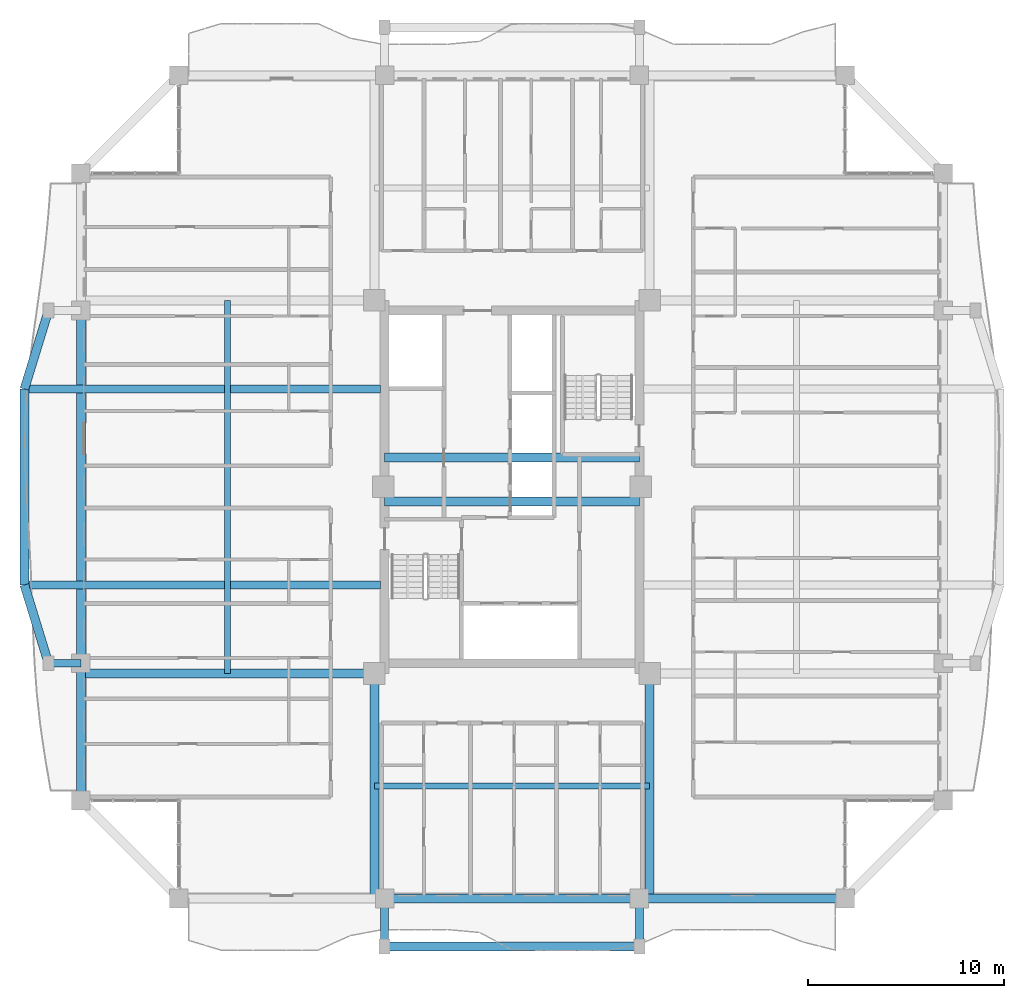
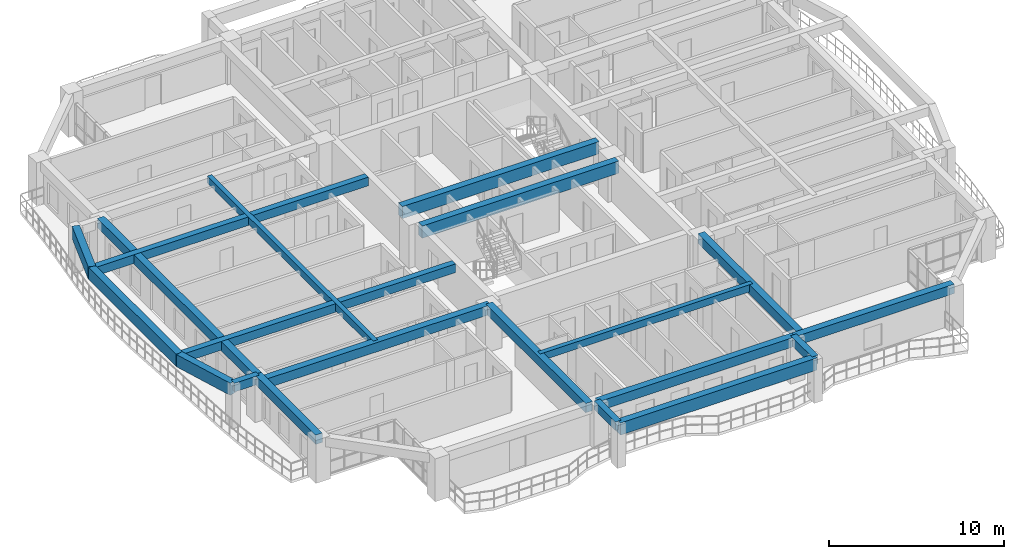
# One storey, part 3 of 24: 20 beams.
"""IFC4 building model written with IfcOpenShell, lengths in metres."""

from ifc_helpers import new_model, si_unit, direction, frame, origin, origin_2d, place, context, subcontext, project, spatial, rectangle, extrude, source, transform, mapped, material, material_profile, profile_set, type_object, element, save


model = new_model("IFC4")

# Units and contexts
model_context = context("Model", 3, precision=1e-05, world=origin(), true_north=direction((0.0, 1.0)))
body_context = subcontext(model_context, "Body", "Model", "MODEL_VIEW")
ifc_project = project(units=[si_unit("LENGTHUNIT", "METRE"), si_unit("AREAUNIT", "SQUARE_METRE"), si_unit("VOLUMEUNIT", "CUBIC_METRE"), si_unit("PLANEANGLEUNIT", "RADIAN"), si_unit("MASSUNIT", "GRAM", prefix="KILO")], contexts=[model_context])

# Site, building, storey
site_placement = place(None, origin())
site = spatial("IfcSite", under=ifc_project, at=site_placement, CompositionType="ELEMENT")
building_placement = place(site_placement, origin())
building = spatial("IfcBuilding", under=site, at=building_placement, Name="Saelheon Loggia Tower", CompositionType="ELEMENT")
storey_placement = place(building_placement, frame((0.0, 0.0, 166.0)))
storey = spatial("IfcBuildingStorey", under=building, at=storey_placement, Name="L52", CompositionType="ELEMENT", Elevation=166.0)

# Beams
ifc_material_1 = material(Name="Concrete C50/60", Category="concrete")
ifc_material_profile_1 = material_profile(ifc_material_1, rectangle(XDim=0.449951171875, YDim=0.85009765625, at=origin_2d()), Name="RC-450x850")
ifc_profile_set_1 = profile_set([ifc_material_profile_1], Name="Concrete C50/60")
beam_type_1 = type_object("IfcBeamType", Name="Beam_CoreLintel_RC450x850", PredefinedType="LINTEL", material=ifc_profile_set_1)
shared_shape_1 = source(origin(), body_context, "Body", "SweptSolid", [
    extrude(rectangle(XDim=0.449951171875, YDim=0.85009765625, at=origin_2d()), origin(), (0.0, 0.0, 1.0), 13.0),
])
for number, where, z_axis, x_axis, name in (
    (1, (31.5, 26.25, 2.574951171875), (1.0, 0.0, 0.0), (0.0, 1.0, 0.0), "L52 Core Coupling Lintel 1"),
    (2, (31.5, 28.5, 2.574951171875), (1.0, 0.0, 0.0), (0.0, 1.0, 0.0), "L52 Core Coupling Lintel 2"),
):
    element("IfcBeam", number, at=place(storey_placement, frame(where, z_axis=z_axis, x_axis=x_axis)), inside=storey, type_object=beam_type_1, Name=name, PredefinedType="LINTEL", context=body_context, shape_type="MappedRepresentation", body=[
        mapped(shared_shape_1, transform((0.0, 0.0, 0.0), scale=1.0)),
    ])
ifc_material_2 = material(Name="Precast Concrete C45/55", Category="concrete")
ifc_material_profile_2 = material_profile(ifc_material_2, rectangle(XDim=0.449951171875, YDim=0.85009765625, at=origin_2d()), Name="RC-450x850")
ifc_profile_set_2 = profile_set([ifc_material_profile_2], Name="Precast Concrete C45/55")
beam_type_2 = type_object("IfcBeamType", Name="Beam_LoggiaSpandrel_RC450x850", PredefinedType="SPANDREL", material=ifc_profile_set_2)
beam_1_placement = place(storey_placement, frame((31.5, 3.550048828125, 2.574951171875), z_axis=(1.0, 0.0, 0.0), x_axis=(0.0, 1.0, 0.0)))
element("IfcBeam", 3, at=beam_1_placement, inside=storey, type_object=beam_type_2, Name="L52 Loggia Spandrel Beam S", PredefinedType="SPANDREL", context=body_context, shape_type="MappedRepresentation", body=[
    mapped(shared_shape_1, transform((0.0, 0.0, 0.0), scale=1.0)),
])
ifc_material_profile_3 = material_profile(ifc_material_2, rectangle(XDim=0.39990234375, YDim=0.60009765625, at=origin_2d()), Name="RC-400x600")
ifc_profile_set_3 = profile_set([ifc_material_profile_3], Name="Precast Concrete C45/55")
beam_type_3 = type_object("IfcBeamType", Name="Beam_LoggiaTie_RC400x600", PredefinedType="BEAM", material=ifc_profile_set_3)
shared_shape_2 = source(origin(), body_context, "Body", "SweptSolid", [
    extrude(rectangle(XDim=0.39990234375, YDim=0.60009765625, at=origin_2d()), origin(), (0.0, 0.0, 1.0), 2.449951171875),
])
for number, where, z_axis, x_axis, name in (
    (4, (31.5, 6.0, 2.699951171875), (0.0, -1.0, 0.0), (1.0, 0.0, 0.0), "L52 Loggia Frame Tie Beam LP-S1"),
    (5, (44.5, 6.0, 2.699951171875), (0.0, -1.0, 0.0), (1.0, 0.0, 0.0), "L52 Loggia Frame Tie Beam LP-S2"),
):
    element("IfcBeam", number, at=place(storey_placement, frame(where, z_axis=z_axis, x_axis=x_axis)), inside=storey, type_object=beam_type_3, Name=name, PredefinedType="BEAM", context=body_context, shape_type="MappedRepresentation", body=[
        mapped(shared_shape_2, transform((0.0, 0.0, 0.0), scale=1.0)),
    ])
ifc_material_3 = material(Name="Concrete C40/50", Category="concrete")
ifc_material_profile_4 = material_profile(ifc_material_3, rectangle(XDim=0.449951171875, YDim=0.64990234375, at=origin_2d()), Name="RC-450x650")
ifc_profile_set_4 = profile_set([ifc_material_profile_4], Name="Concrete C40/50")
beam_type_4 = type_object("IfcBeamType", Name="Beam_PerimTower_RC450x650", PredefinedType="BEAM", material=ifc_profile_set_4)
shared_shape_3 = source(origin(), body_context, "Body", "SweptSolid", [
    extrude(rectangle(XDim=0.449951171875, YDim=0.64990234375, at=origin_2d()), origin(), (0.0, 0.0, 1.0), 13.0),
])
beam_2_placement = place(storey_placement, frame((31.5, 6.0, 2.675048828125), z_axis=(1.0, 0.0, 0.0), x_axis=(0.0, 1.0, 0.0)))
element("IfcBeam", 6, at=beam_2_placement, inside=storey, type_object=beam_type_4, Name="L52 Perimeter Frame Girder 02", PredefinedType="BEAM", context=body_context, shape_type="MappedRepresentation", body=[
    mapped(shared_shape_3, transform((0.0, 0.0, 0.0), scale=1.0)),
])
shared_shape_4 = source(origin(), body_context, "Body", "SweptSolid", [
    extrude(rectangle(XDim=0.449951171875, YDim=0.64990234375, at=origin_2d()), origin(), (0.0, 0.0, 1.0), 18.0),
])
beam_3_placement = place(storey_placement, frame((16.0, 36.0, 2.675048828125), z_axis=(0.0, -1.0, 0.0), x_axis=(1.0, 0.0, 0.0)))
element("IfcBeam", 7, at=beam_3_placement, inside=storey, type_object=beam_type_4, Name="L52 Perimeter Frame Girder 14", PredefinedType="BEAM", context=body_context, shape_type="MappedRepresentation", body=[
    mapped(shared_shape_4, transform((0.0, 0.0, 0.0), scale=1.0)),
])
ifc_material_profile_5 = material_profile(ifc_material_3, rectangle(XDim=0.300048828125, YDim=0.5, at=origin_2d()), Name="RC-300x500")
ifc_profile_set_5 = profile_set([ifc_material_profile_5], Name="Concrete C40/50")
beam_type_5 = type_object("IfcBeamType", Name="Beam_Joist_RC300x500", PredefinedType="JOIST", material=ifc_profile_set_5)
shared_shape_5 = source(origin(), body_context, "Body", "SweptSolid", [
    extrude(rectangle(XDim=0.300048828125, YDim=0.5, at=origin_2d()), origin(), (0.0, 0.0, 1.0), 14.0400390625),
])
beam_4_placement = place(storey_placement, frame((30.97998046875, 11.739990234375, 2.75), z_axis=(1.0, 0.0, 0.0), x_axis=(0.0, 1.0, 0.0)))
element("IfcBeam", 8, at=beam_4_placement, inside=storey, type_object=beam_type_5, Name="L52 South Floor Joist", PredefinedType="JOIST", context=body_context, shape_type="MappedRepresentation", body=[
    mapped(shared_shape_5, transform((0.0, 0.0, 0.0), scale=1.0)),
])
shared_shape_6 = source(origin(), body_context, "Body", "SweptSolid", [
    extrude(rectangle(XDim=0.300048828125, YDim=0.5, at=origin_2d()), origin(), (0.0, 0.0, 1.0), 19.0400390625),
])
beam_5_placement = place(storey_placement, frame((23.489990234375, 17.47998046875, 2.75), z_axis=(0.0, 1.0, 0.0), x_axis=(-1.0, 0.0, 0.0)))
element("IfcBeam", 9, at=beam_5_placement, inside=storey, type_object=beam_type_5, Name="L52 West Floor Joist", PredefinedType="JOIST", context=body_context, shape_type="MappedRepresentation", body=[
    mapped(shared_shape_6, transform((0.0, 0.0, 0.0), scale=1.0)),
])
shared_shape_7 = source(origin(), body_context, "Body", "SweptSolid", [
    extrude(rectangle(XDim=0.449951171875, YDim=0.64990234375, at=origin_2d()), origin(), (0.0, 0.0, 1.0), 10.5),
])
beam_6_placement = place(storey_placement, frame((44.5, 6.0, 2.675048828125), z_axis=(1.0, 0.0, 0.0), x_axis=(0.0, 1.0, 0.0)))
element("IfcBeam", 10, at=beam_6_placement, inside=storey, type_object=beam_type_4, Name="L52 Perimeter Frame Girder 03", PredefinedType="BEAM", context=body_context, shape_type="MappedRepresentation", body=[
    mapped(shared_shape_7, transform((0.0, 0.0, 0.0), scale=1.0)),
])
shared_shape_8 = source(origin(), body_context, "Body", "SweptSolid", [
    extrude(rectangle(XDim=0.449951171875, YDim=0.64990234375, at=origin_2d()), origin(), (0.0, 0.0, 1.0), 7.0),
])
beam_7_placement = place(storey_placement, frame((16.0, 18.0, 2.675048828125), z_axis=(0.0, -1.0, 0.0), x_axis=(1.0, 0.0, 0.0)))
element("IfcBeam", 11, at=beam_7_placement, inside=storey, type_object=beam_type_4, Name="L52 Perimeter Frame Girder 15", PredefinedType="BEAM", context=body_context, shape_type="MappedRepresentation", body=[
    mapped(shared_shape_8, transform((0.0, 0.0, 0.0), scale=1.0)),
])
ifc_material_profile_6 = material_profile(ifc_material_3, rectangle(XDim=0.449951171875, YDim=0.64990234375, at=origin_2d()), Name="RC-450x650")
ifc_profile_set_6 = profile_set([ifc_material_profile_6], Name="Concrete C40/50")
beam_type_6 = type_object("IfcBeamType", Name="Beam_TowerGirder_RC450x650", PredefinedType="BEAM", material=ifc_profile_set_6)
shared_shape_9 = source(origin(), body_context, "Body", "SweptSolid", [
    extrude(rectangle(XDim=0.449951171875, YDim=0.64990234375, at=origin_2d()), origin(), (0.0, 0.0, 1.0), 11.47998046875),
])
for number, where, z_axis, x_axis, name in (
    (12, (30.97998046875, 17.47998046875, 2.675048828125), (0.0, -1.0, 0.0), (1.0, 0.0, 0.0), "L52 Radial Floor Girder RAD-SW-S"),
    (13, (45.02001953125, 17.47998046875, 2.675048828125), (0.0, -1.0, 0.0), (1.0, 0.0, 0.0), "L52 Radial Floor Girder RAD-SE-S"),
):
    element("IfcBeam", number, at=place(storey_placement, frame(where, z_axis=z_axis, x_axis=x_axis)), inside=storey, type_object=beam_type_6, Name=name, PredefinedType="BEAM", context=body_context, shape_type="MappedRepresentation", body=[
        mapped(shared_shape_9, transform((0.0, 0.0, 0.0), scale=1.0)),
    ])
shared_shape_10 = source(origin(), body_context, "Body", "SweptSolid", [
    extrude(rectangle(XDim=0.449951171875, YDim=0.64990234375, at=origin_2d()), origin(), (0.0, 0.0, 1.0), 14.97998046875),
])
beam_8_placement = place(storey_placement, frame((30.97998046875, 17.47998046875, 2.675048828125), z_axis=(-1.0, 0.0, 0.0), x_axis=(0.0, -1.0, 0.0)))
element("IfcBeam", 14, at=beam_8_placement, inside=storey, type_object=beam_type_6, Name="L52 Radial Floor Girder RAD-SW-W", PredefinedType="BEAM", context=body_context, shape_type="MappedRepresentation", body=[
    mapped(shared_shape_10, transform((0.0, 0.0, 0.0), scale=1.0)),
])
shared_shape_11 = source(origin(), body_context, "Body", "SweptSolid", [
    extrude(rectangle(XDim=0.39990234375, YDim=0.60009765625, at=origin_2d()), origin(), (0.0, 0.0, 1.0), 1.64990234375),
])
beam_9_placement = place(storey_placement, frame((16.0, 18.0, 2.699951171875), z_axis=(-1.0, 0.0, 0.0), x_axis=(0.0, -1.0, 0.0)))
element("IfcBeam", 15, at=beam_9_placement, inside=storey, type_object=beam_type_3, Name="L52 Loggia Frame Tie Beam LP-W1", PredefinedType="BEAM", context=body_context, shape_type="MappedRepresentation", body=[
    mapped(shared_shape_11, transform((0.0, 0.0, 0.0), scale=1.0)),
])
shared_shape_12 = source(origin(), body_context, "Body", "SweptSolid", [
    extrude(rectangle(XDim=0.39990234375, YDim=0.60009765625, at=origin_2d()), origin(), (0.0, 0.0, 1.0), 18.159912109375),
])
for number, where, z_axis, x_axis, name in (
    (16, (31.280029296875, 22.0, 2.699951171875), (-1.0, 0.0, 0.0), (0.0, -1.0, 0.0), "L52 Curved Facade Outrigger Beam W 1"),
    (17, (31.280029296875, 32.0, 2.699951171875), (-1.0, 0.0, 0.0), (0.0, -1.0, 0.0), "L52 Curved Facade Outrigger Beam W 2"),
):
    element("IfcBeam", number, at=place(storey_placement, frame(where, z_axis=z_axis, x_axis=x_axis)), inside=storey, type_object=beam_type_3, Name=name, PredefinedType="BEAM", context=body_context, shape_type="MappedRepresentation", body=[
        mapped(shared_shape_12, transform((0.0, 0.0, 0.0), scale=1.0)),
    ])
shared_shape_13 = source(origin(), body_context, "Body", "SweptSolid", [
    extrude(rectangle(XDim=0.449951171875, YDim=0.85009765625, at=origin_2d()), origin(), (0.0, 0.0, 1.0), 4.184814453125),
])
for number, where, z_axis, x_axis, name in (
    (18, (14.35009765625, 18.0, 2.574951171875), (-0.293913664135, 0.955831971653, 0.0), (-0.955831971653, -0.293913664135, 0.0), "L52 Curved Loggia Spandrel W 1"),
    (19, (13.1201171875, 32.0, 2.574951171875), (0.293913664135, 0.955831971653, 0.0), (-0.955831971653, 0.293913664135, 0.0), "L52 Curved Loggia Spandrel W 3"),
):
    element("IfcBeam", number, at=place(storey_placement, frame(where, z_axis=z_axis, x_axis=x_axis)), inside=storey, type_object=beam_type_2, Name=name, PredefinedType="SPANDREL", context=body_context, shape_type="MappedRepresentation", body=[
        mapped(shared_shape_13, transform((0.0, 0.0, 0.0), scale=1.0)),
    ])
shared_shape_14 = source(origin(), body_context, "Body", "SweptSolid", [
    extrude(rectangle(XDim=0.449951171875, YDim=0.85009765625, at=origin_2d()), origin(), (0.0, 0.0, 1.0), 10.0),
])
beam_10_placement = place(storey_placement, frame((13.1201171875, 22.0, 2.574951171875), z_axis=(0.0, 1.0, 0.0), x_axis=(-1.0, 0.0, 0.0)))
element("IfcBeam", 20, at=beam_10_placement, inside=storey, type_object=beam_type_2, Name="L52 Curved Loggia Spandrel W 2", PredefinedType="SPANDREL", context=body_context, shape_type="MappedRepresentation", body=[
    mapped(shared_shape_14, transform((0.0, 0.0, 0.0), scale=1.0)),
])

save(model, "model.ifc")
